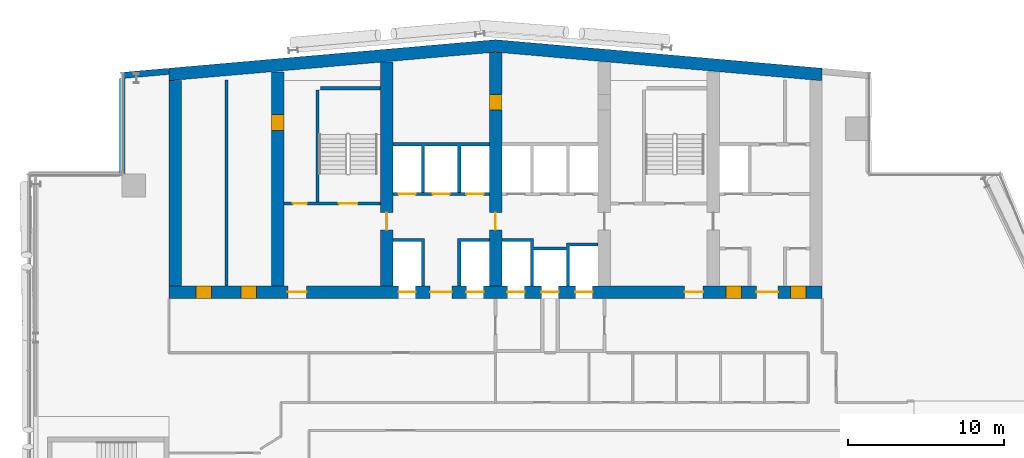
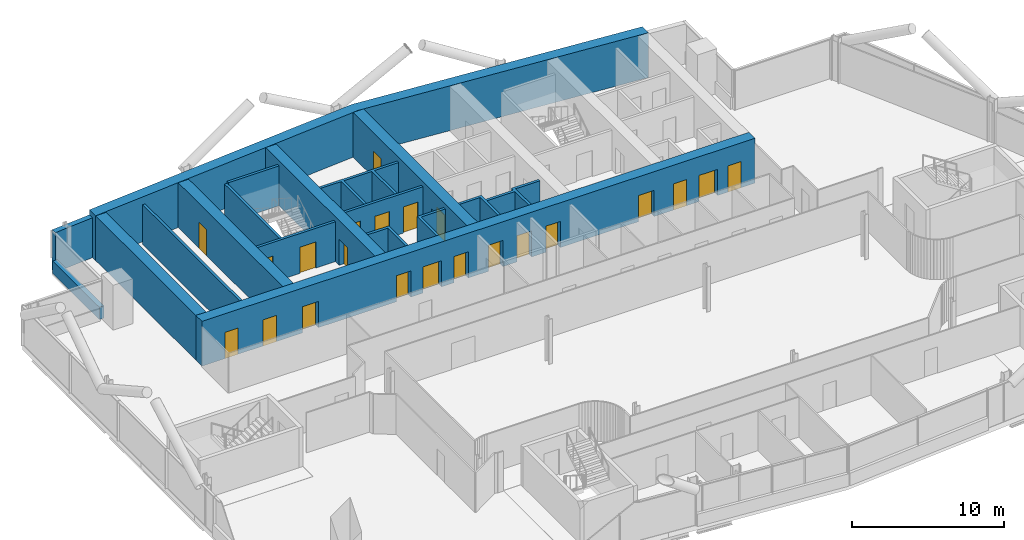
# One storey, part 20 of 29: 22 doors, 17 walls, 22 openings.
"""IFC4 building model written with IfcOpenShell, lengths in metres."""

from ifc_helpers import new_model, si_unit, direction, frame, frame_2d, origin, place, context, subcontext, project, spatial, polyline, rectangle, outline, extrude, material, layer, layer_set, type_object, element, fill, save


model = new_model("IFC4")

# Units and contexts
model_context = context("Model", 3, precision=1e-05, world=origin(), true_north=direction((0.0, 1.0)))
body_context = subcontext(model_context, "Body", "Model", "MODEL_VIEW")
ifc_project = project(units=[si_unit("LENGTHUNIT", "METRE"), si_unit("AREAUNIT", "SQUARE_METRE"), si_unit("VOLUMEUNIT", "CUBIC_METRE"), si_unit("PLANEANGLEUNIT", "RADIAN"), si_unit("MASSUNIT", "GRAM", prefix="KILO")], contexts=[model_context])

# Site, building, storey
site_placement = place(None, origin())
site = spatial("IfcSite", under=ifc_project, at=site_placement, CompositionType="ELEMENT")
building_placement = place(site_placement, origin())
building = spatial("IfcBuilding", under=site, at=building_placement, Name="Wharfspan Tower", CompositionType="ELEMENT")
storey_placement = place(building_placement, frame((0.0, 0.0, 162.699951)))
storey = spatial("IfcBuildingStorey", under=building, at=storey_placement, Name="L39", CompositionType="ELEMENT", Elevation=162.699951)

# Walls
ifc_material_1 = material(Name="Calcium silicate masonry", Category="masonry")
ifc_layer_1 = layer(ifc_material_1, 0.199951)
ifc_layer_set_1 = layer_set([ifc_layer_1], Name="Calcium silicate masonry")
wall_type_1 = type_object("IfcWallType", Name="Core room wall 200", PredefinedType="PARTITIONING", material=ifc_layer_set_1)
wall_1_placement = place(storey_placement, frame((19.699951, 34.800049, 0.0), z_axis=(0.0, 0.0, 1.0), x_axis=(0.0, 1.0, 0.0)))
element("IfcWall", 1, at=wall_1_placement, inside=storey, type_object=wall_type_1, Name="sw:L39:RM1", PredefinedType="PARTITIONING", context=body_context, shape_type="SweptSolid", body=[
    extrude(rectangle(XDim=13.234131, YDim=0.199951, at=frame_2d((6.617188, 0.0))), origin(), (0.0, 0.0, 1.0), 3.199951),
])
ifc_material_2 = material(Name="Concrete C60/75", Category="concrete")
ifc_layer_2 = layer(ifc_material_2, 0.800049)
ifc_layer_set_2 = layer_set([ifc_layer_2], Name="Concrete C60/75")
wall_type_2 = type_object("IfcWallType", Name="Core wall 800 C60/75", PredefinedType="SHEAR", material=ifc_layer_set_2)
wall_2_placement = place(storey_placement, origin())
element("IfcWall", 2, at=wall_2_placement, inside=storey, type_object=wall_type_2, Name="Core rear wall L39", PredefinedType="SHEAR", context=body_context, shape_type="SweptSolid", body=[
    extrude(outline(polyline([(16.0, 47.984375), (37.0, 49.821533), (58.0, 47.984375), (58.0, 48.787354), (37.0, 50.624756), (16.0, 48.787354), (16.0, 47.984375)])), origin(), (0.0, 0.0, 1.0), 3.600098),
])

# Wall, openings, doors
wall_3_placement = place(storey_placement, frame((16.0, 34.399902, 0.0), z_axis=(0.0, 0.0, 1.0), x_axis=(1.0, 0.0, 0.0)))
wall_3 = element("IfcWall", 3, at=wall_3_placement, inside=storey, type_object=wall_type_2, Name="Core front wall L39", PredefinedType="SHEAR", context=body_context, shape_type="SweptSolid", body=[
    extrude(rectangle(XDim=42.0, YDim=0.800049, at=frame_2d((21.0, 0.0))), origin(), (0.0, 0.0, 1.0), 3.600098),
])
opening_1_placement = place(wall_3_placement, frame((1.75, 0.0, 0.0)))
opening_1 = element("IfcOpeningElement", 4, at=opening_1_placement, cuts=wall_3, Name="Opening CD39.11", PredefinedType="OPENING", context=body_context, shape_type="SweptSolid", body=[
    extrude(rectangle(XDim=1.0, YDim=2.100098, at=frame_2d((0.5, 1.050049))), frame((0.0, 0.409912, 0.0), z_axis=(0.0, -1.0, 0.0), x_axis=(1.0, 0.0, 0.0)), (0.0, 0.0, 1.0), 0.820068),
])
opening_2_placement = place(wall_3_placement, frame((4.649902, 0.0, 0.0)))
opening_2 = element("IfcOpeningElement", 5, at=opening_2_placement, cuts=wall_3, Name="Opening CD39.12", PredefinedType="OPENING", context=body_context, shape_type="SweptSolid", body=[
    extrude(rectangle(XDim=1.0, YDim=2.100098, at=frame_2d((0.5, 1.050049))), frame((0.0, 0.409912, 0.0), z_axis=(0.0, -1.0, 0.0), x_axis=(1.0, 0.0, 0.0)), (0.0, 0.0, 1.0), 0.820068),
])
opening_3_placement = place(wall_3_placement, frame((7.649902, 0.0, 0.0)))
opening_3 = element("IfcOpeningElement", 6, at=opening_3_placement, cuts=wall_3, Name="Opening SV2.L39", PredefinedType="OPENING", context=body_context, shape_type="SweptSolid", body=[
    extrude(rectangle(XDim=1.199951, YDim=2.100098, at=frame_2d((0.600098, 1.050049))), frame((0.0, 0.409912, 0.0), z_axis=(0.0, -1.0, 0.0), x_axis=(1.0, 0.0, 0.0)), (0.0, 0.0, 1.0), 0.820068),
])
opening_4_placement = place(wall_3_placement, frame((14.766602, 0.0, 0.0)))
opening_4 = element("IfcOpeningElement", 7, at=opening_4_placement, cuts=wall_3, Name="Opening LD.SL1.L39", PredefinedType="OPENING", context=body_context, shape_type="SweptSolid", body=[
    extrude(rectangle(XDim=1.100098, YDim=2.100098, at=frame_2d((0.550049, 1.050049))), frame((0.0, 0.409912, 0.0), z_axis=(0.0, -1.0, 0.0), x_axis=(1.0, 0.0, 0.0)), (0.0, 0.0, 1.0), 0.820068),
])
opening_5_placement = place(wall_3_placement, frame((19.133301, 0.0, 0.0)))
opening_5 = element("IfcOpeningElement", 8, at=opening_5_placement, cuts=wall_3, Name="Opening LD.SL2.L39", PredefinedType="OPENING", context=body_context, shape_type="SweptSolid", body=[
    extrude(rectangle(XDim=1.100098, YDim=2.100098, at=frame_2d((0.550049, 1.050049))), frame((0.0, 0.409912, 0.0), z_axis=(0.0, -1.0, 0.0), x_axis=(1.0, 0.0, 0.0)), (0.0, 0.0, 1.0), 0.820068),
])
opening_6_placement = place(wall_3_placement, frame((16.800049, 0.0, 0.0)))
opening_6 = element("IfcOpeningElement", 9, at=opening_6_placement, cuts=wall_3, Name="Opening HD39.3", PredefinedType="OPENING", context=body_context, shape_type="SweptSolid", body=[
    extrude(rectangle(XDim=1.399902, YDim=2.100098, at=frame_2d((0.699951, 1.050049))), frame((0.0, 0.409912, 0.0), z_axis=(0.0, -1.0, 0.0), x_axis=(1.0, 0.0, 0.0)), (0.0, 0.0, 1.0), 0.820068),
])
opening_7_placement = place(wall_3_placement, frame((21.766602, 0.0, 0.0)))
opening_7 = element("IfcOpeningElement", 10, at=opening_7_placement, cuts=wall_3, Name="Opening LD.FF1.L39", PredefinedType="OPENING", context=body_context, shape_type="SweptSolid", body=[
    extrude(rectangle(XDim=1.100098, YDim=2.100098, at=frame_2d((0.550049, 1.050049))), frame((0.0, 0.409912, 0.0), z_axis=(0.0, -1.0, 0.0), x_axis=(1.0, 0.0, 0.0)), (0.0, 0.0, 1.0), 0.820068),
])
opening_8_placement = place(wall_3_placement, frame((23.949951, 0.0, 0.0)))
opening_8 = element("IfcOpeningElement", 11, at=opening_8_placement, cuts=wall_3, Name="Opening LD.LB7.L39", PredefinedType="OPENING", context=body_context, shape_type="SweptSolid", body=[
    extrude(rectangle(XDim=1.100098, YDim=2.100098, at=frame_2d((0.550049, 1.050049))), frame((0.0, 0.409912, 0.0), z_axis=(0.0, -1.0, 0.0), x_axis=(1.0, 0.0, 0.0)), (0.0, 0.0, 1.0), 0.820068),
])
opening_9_placement = place(wall_3_placement, frame((26.133301, 0.0, 0.0)))
opening_9 = element("IfcOpeningElement", 12, at=opening_9_placement, cuts=wall_3, Name="Opening LD.FF2.L39", PredefinedType="OPENING", context=body_context, shape_type="SweptSolid", body=[
    extrude(rectangle(XDim=1.100098, YDim=2.100098, at=frame_2d((0.550049, 1.050049))), frame((0.0, 0.409912, 0.0), z_axis=(0.0, -1.0, 0.0), x_axis=(1.0, 0.0, 0.0)), (0.0, 0.0, 1.0), 0.820068),
])
opening_10_placement = place(wall_3_placement, frame((33.149902, 0.0, 0.0)))
opening_10 = element("IfcOpeningElement", 13, at=opening_10_placement, cuts=wall_3, Name="Opening SV5.L39", PredefinedType="OPENING", context=body_context, shape_type="SweptSolid", body=[
    extrude(rectangle(XDim=1.199951, YDim=2.100098, at=frame_2d((0.600098, 1.050049))), frame((0.0, 0.409912, 0.0), z_axis=(0.0, -1.0, 0.0), x_axis=(1.0, 0.0, 0.0)), (0.0, 0.0, 1.0), 0.820068),
])
opening_11_placement = place(wall_3_placement, frame((35.81665, 0.0, 0.0)))
opening_11 = element("IfcOpeningElement", 14, at=opening_11_placement, cuts=wall_3, Name="Opening CD39.6F1", PredefinedType="OPENING", context=body_context, shape_type="SweptSolid", body=[
    extrude(rectangle(XDim=1.0, YDim=2.100098, at=frame_2d((0.5, 1.050049))), frame((0.0, 0.409912, 0.0), z_axis=(0.0, -1.0, 0.0), x_axis=(1.0, 0.0, 0.0)), (0.0, 0.0, 1.0), 0.820068),
])
opening_12_placement = place(wall_3_placement, frame((39.949951, 0.0, 0.0)))
opening_12 = element("IfcOpeningElement", 15, at=opening_12_placement, cuts=wall_3, Name="Opening CD39.6F3", PredefinedType="OPENING", context=body_context, shape_type="SweptSolid", body=[
    extrude(rectangle(XDim=1.0, YDim=2.100098, at=frame_2d((0.5, 1.050049))), frame((0.0, 0.409912, 0.0), z_axis=(0.0, -1.0, 0.0), x_axis=(1.0, 0.0, 0.0)), (0.0, 0.0, 1.0), 0.820068),
])
opening_13_placement = place(wall_3_placement, frame((37.766602, 0.0, 0.0)))
opening_13 = element("IfcOpeningElement", 16, at=opening_13_placement, cuts=wall_3, Name="Opening HD39.6", PredefinedType="OPENING", context=body_context, shape_type="SweptSolid", body=[
    extrude(rectangle(XDim=1.399902, YDim=2.100098, at=frame_2d((0.699951, 1.050049))), frame((0.0, 0.409912, 0.0), z_axis=(0.0, -1.0, 0.0), x_axis=(1.0, 0.0, 0.0)), (0.0, 0.0, 1.0), 0.820068),
])
ifc_material_3 = material(Name="Steel door leaf", Category="steel")
door_type_1 = type_object("IfcDoorType", Name="Core room door 1000x2100", OperationType="SINGLE_SWING_LEFT", PredefinedType="DOOR", material=ifc_material_3)
door_1_placement = place(opening_1_placement, origin())
door_1 = element("IfcDoor", 17, at=door_1_placement, inside=storey, type_object=door_type_1, Name="d:L39:1:rf", OperationType="SINGLE_SWING_LEFT", OverallHeight=2.100098, OverallWidth=1.0, PredefinedType="DOOR", context=body_context, shape_type="SweptSolid", body=[
    extrude(rectangle(XDim=1.0, YDim=2.100098, at=frame_2d((0.5, 1.050049))), frame((0.0, 0.399902, 0.0), z_axis=(0.0, -1.0, 0.0), x_axis=(1.0, 0.0, 0.0)), (0.0, 0.0, 1.0), 0.799561),
])
fill(opening_1, door_1)
door_2_placement = place(opening_2_placement, origin())
door_2 = element("IfcDoor", 18, at=door_2_placement, inside=storey, type_object=door_type_1, Name="d:L39:1:rr", OperationType="SINGLE_SWING_RIGHT", OverallHeight=2.100098, OverallWidth=1.0, PredefinedType="DOOR", context=body_context, shape_type="SweptSolid", body=[
    extrude(rectangle(XDim=1.0, YDim=2.100098, at=frame_2d((0.5, 1.050049))), frame((0.0, 0.399902, 0.0), z_axis=(0.0, -1.0, 0.0), x_axis=(1.0, 0.0, 0.0)), (0.0, 0.0, 1.0), 0.799561),
])
fill(opening_2, door_2)
door_3_placement = place(opening_11_placement, origin())
door_3 = element("IfcDoor", 19, at=door_3_placement, inside=storey, type_object=door_type_1, Name="d:L39:6:fd6.1", OperationType="SINGLE_SWING_LEFT", OverallHeight=2.100098, OverallWidth=1.0, PredefinedType="DOOR", context=body_context, shape_type="SweptSolid", body=[
    extrude(rectangle(XDim=1.0, YDim=2.100098, at=frame_2d((0.5, 1.050049))), frame((0.0, 0.399902, 0.0), z_axis=(0.0, -1.0, 0.0), x_axis=(1.0, 0.0, 0.0)), (0.0, 0.0, 1.0), 0.799561),
])
fill(opening_11, door_3)
door_4_placement = place(opening_12_placement, origin())
door_4 = element("IfcDoor", 20, at=door_4_placement, inside=storey, type_object=door_type_1, Name="d:L39:6:fd6.3", OperationType="SINGLE_SWING_LEFT", OverallHeight=2.100098, OverallWidth=1.0, PredefinedType="DOOR", context=body_context, shape_type="SweptSolid", body=[
    extrude(rectangle(XDim=1.0, YDim=2.100098, at=frame_2d((0.5, 1.050049))), frame((0.0, 0.399902, 0.0), z_axis=(0.0, -1.0, 0.0), x_axis=(1.0, 0.0, 0.0)), (0.0, 0.0, 1.0), 0.799561),
])
fill(opening_12, door_4)
door_type_2 = type_object("IfcDoorType", Name="Hall entry door 1400x2100", OperationType="DOUBLE_DOOR_SINGLE_SWING", PredefinedType="DOOR", material=ifc_material_3)
door_5_placement = place(opening_6_placement, origin())
door_5 = element("IfcDoor", 21, at=door_5_placement, inside=storey, type_object=door_type_2, Name="d:L39:3:hd3", OperationType="DOUBLE_DOOR_SINGLE_SWING", OverallHeight=2.100098, OverallWidth=1.399902, PredefinedType="DOOR", context=body_context, shape_type="SweptSolid", body=[
    extrude(rectangle(XDim=1.399902, YDim=2.100098, at=frame_2d((0.699951, 1.050049))), frame((0.0, 0.024902, 0.0), z_axis=(0.0, -1.0, 0.0), x_axis=(1.0, 0.0, 0.0)), (0.0, 0.0, 1.0), 0.050049),
])
fill(opening_6, door_5)
door_6_placement = place(opening_13_placement, origin())
door_6 = element("IfcDoor", 22, at=door_6_placement, inside=storey, type_object=door_type_2, Name="d:L39:6:hd6", OperationType="DOUBLE_DOOR_SINGLE_SWING", OverallHeight=2.100098, OverallWidth=1.399902, PredefinedType="DOOR", context=body_context, shape_type="SweptSolid", body=[
    extrude(rectangle(XDim=1.399902, YDim=2.100098, at=frame_2d((0.699951, 1.050049))), frame((0.0, 0.024902, 0.0), z_axis=(0.0, -1.0, 0.0), x_axis=(1.0, 0.0, 0.0)), (0.0, 0.0, 1.0), 0.050049),
])
fill(opening_13, door_6)
ifc_material_4 = material(Name="Stainless steel", Category="steel")
door_type_3 = type_object("IfcDoorType", Name="Lift landing door 1100x2100", OperationType="DOUBLE_DOOR_SLIDING", PredefinedType="DOOR", material=ifc_material_4)
door_7_placement = place(opening_4_placement, origin())
door_7 = element("IfcDoor", 23, at=door_7_placement, inside=storey, type_object=door_type_3, Name="Landing door SL1 L39", OperationType="DOUBLE_DOOR_SLIDING", OverallHeight=2.100098, OverallWidth=1.100098, PredefinedType="DOOR", context=body_context, shape_type="SweptSolid", body=[
    extrude(rectangle(XDim=1.100098, YDim=2.100098, at=frame_2d((0.550049, 1.050049))), frame((0.0, 0.024902, 0.0), z_axis=(0.0, -1.0, 0.0), x_axis=(1.0, 0.0, 0.0)), (0.0, 0.0, 1.0), 0.050049),
])
fill(opening_4, door_7)
door_8_placement = place(opening_5_placement, origin())
door_8 = element("IfcDoor", 24, at=door_8_placement, inside=storey, type_object=door_type_3, Name="Landing door SL2 L39", OperationType="DOUBLE_DOOR_SLIDING", OverallHeight=2.100098, OverallWidth=1.100098, PredefinedType="DOOR", context=body_context, shape_type="SweptSolid", body=[
    extrude(rectangle(XDim=1.100098, YDim=2.100098, at=frame_2d((0.550049, 1.050049))), frame((0.0, 0.024902, 0.0), z_axis=(0.0, -1.0, 0.0), x_axis=(1.0, 0.0, 0.0)), (0.0, 0.0, 1.0), 0.050049),
])
fill(opening_5, door_8)
door_9_placement = place(opening_7_placement, origin())
door_9 = element("IfcDoor", 25, at=door_9_placement, inside=storey, type_object=door_type_3, Name="Landing door FF1 L39", OperationType="DOUBLE_DOOR_SLIDING", OverallHeight=2.100098, OverallWidth=1.100098, PredefinedType="DOOR", context=body_context, shape_type="SweptSolid", body=[
    extrude(rectangle(XDim=1.100098, YDim=2.100098, at=frame_2d((0.550049, 1.050049))), frame((0.0, 0.024902, 0.0), z_axis=(0.0, -1.0, 0.0), x_axis=(1.0, 0.0, 0.0)), (0.0, 0.0, 1.0), 0.050049),
])
fill(opening_7, door_9)
door_10_placement = place(opening_8_placement, origin())
door_10 = element("IfcDoor", 26, at=door_10_placement, inside=storey, type_object=door_type_3, Name="Landing door LB7 L39", OperationType="DOUBLE_DOOR_SLIDING", OverallHeight=2.100098, OverallWidth=1.100098, PredefinedType="DOOR", context=body_context, shape_type="SweptSolid", body=[
    extrude(rectangle(XDim=1.100098, YDim=2.100098, at=frame_2d((0.550049, 1.050049))), frame((0.0, 0.024902, 0.0), z_axis=(0.0, -1.0, 0.0), x_axis=(1.0, 0.0, 0.0)), (0.0, 0.0, 1.0), 0.050049),
])
fill(opening_8, door_10)
door_11_placement = place(opening_9_placement, origin())
door_11 = element("IfcDoor", 27, at=door_11_placement, inside=storey, type_object=door_type_3, Name="Landing door FF2 L39", OperationType="DOUBLE_DOOR_SLIDING", OverallHeight=2.100098, OverallWidth=1.100098, PredefinedType="DOOR", context=body_context, shape_type="SweptSolid", body=[
    extrude(rectangle(XDim=1.100098, YDim=2.100098, at=frame_2d((0.550049, 1.050049))), frame((0.0, 0.024902, 0.0), z_axis=(0.0, -1.0, 0.0), x_axis=(1.0, 0.0, 0.0)), (0.0, 0.0, 1.0), 0.050049),
])
fill(opening_9, door_11)
door_type_4 = type_object("IfcDoorType", Name="Stair door 1200x2100", OperationType="SINGLE_SWING_LEFT", PredefinedType="DOOR", material=ifc_material_3)
door_12_placement = place(opening_3_placement, origin())
door_12 = element("IfcDoor", 28, at=door_12_placement, inside=storey, type_object=door_type_4, Name="vd:L39:2", OperationType="SINGLE_SWING_LEFT", OverallHeight=2.100098, OverallWidth=1.199951, PredefinedType="DOOR", context=body_context, shape_type="SweptSolid", body=[
    extrude(rectangle(XDim=1.199951, YDim=2.100098, at=frame_2d((0.600098, 1.050049))), frame((0.0, 0.024902, 0.0), z_axis=(0.0, -1.0, 0.0), x_axis=(1.0, 0.0, 0.0)), (0.0, 0.0, 1.0), 0.050049),
])
fill(opening_3, door_12)
door_13_placement = place(opening_10_placement, origin())
door_13 = element("IfcDoor", 29, at=door_13_placement, inside=storey, type_object=door_type_4, Name="vd:L39:5", OperationType="SINGLE_SWING_LEFT", OverallHeight=2.100098, OverallWidth=1.199951, PredefinedType="DOOR", context=body_context, shape_type="SweptSolid", body=[
    extrude(rectangle(XDim=1.199951, YDim=2.100098, at=frame_2d((0.600098, 1.050049))), frame((0.0, 0.024902, 0.0), z_axis=(0.0, -1.0, 0.0), x_axis=(1.0, 0.0, 0.0)), (0.0, 0.0, 1.0), 0.050049),
])
fill(opening_10, door_13)

# Wall
wall_4_placement = place(storey_placement, frame((16.399902, 34.800049, 0.0), z_axis=(0.0, 0.0, 1.0), x_axis=(0.0, 1.0, 0.0)))
element("IfcWall", 30, at=wall_4_placement, inside=storey, type_object=wall_type_2, Name="Core cross wall EW0 L39", PredefinedType="SHEAR", context=body_context, shape_type="SweptSolid", body=[
    extrude(rectangle(XDim=13.184326, YDim=0.800049, at=frame_2d((6.592285, 0.0))), origin(), (0.0, 0.0, 1.0), 3.600098),
])

# Wall, opening, door
wall_5_placement = place(storey_placement, frame((23.0, 34.800049, 0.0), z_axis=(0.0, 0.0, 1.0), x_axis=(0.0, 1.0, 0.0)))
wall_5 = element("IfcWall", 31, at=wall_5_placement, inside=storey, type_object=wall_type_2, Name="Core cross wall X2 L39", PredefinedType="SHEAR", context=body_context, shape_type="SweptSolid", body=[
    extrude(rectangle(XDim=13.761719, YDim=0.800049, at=frame_2d((6.880859, 0.0))), origin(), (0.0, 0.0, 1.0), 3.600098),
])
opening_14_placement = place(wall_5_placement, frame((10.0, 0.0, 0.0)))
opening_14 = element("IfcOpeningElement", 32, at=opening_14_placement, cuts=wall_5, Name="Opening CR39.2", PredefinedType="OPENING", context=body_context, shape_type="SweptSolid", body=[
    extrude(rectangle(XDim=1.0, YDim=2.100098, at=frame_2d((0.5, 1.050049))), frame((0.0, 0.409912, 0.0), z_axis=(0.0, -1.0, 0.0), x_axis=(1.0, 0.0, 0.0)), (0.0, 0.0, 1.0), 0.820068),
])
door_14_placement = place(opening_14_placement, origin())
door_14 = element("IfcDoor", 33, at=door_14_placement, inside=storey, type_object=door_type_1, Name="xr:L39:2", OperationType="SINGLE_SWING_RIGHT", OverallHeight=2.100098, OverallWidth=1.0, PredefinedType="DOOR", context=body_context, shape_type="SweptSolid", body=[
    extrude(rectangle(XDim=1.0, YDim=2.100098, at=frame_2d((0.5, 1.050049))), frame((0.0, 0.399902, 0.0), z_axis=(0.0, -1.0, 0.0), x_axis=(1.0, 0.0, 0.0)), (0.0, 0.0, 1.0), 0.799561),
])
fill(opening_14, door_14)

wall_6_placement = place(storey_placement, frame((30.0, 34.800049, 0.0), z_axis=(0.0, 0.0, 1.0), x_axis=(0.0, 1.0, 0.0)))
wall_6 = element("IfcWall", 34, at=wall_6_placement, inside=storey, type_object=wall_type_2, Name="Core cross wall X3 L39", PredefinedType="SHEAR", context=body_context, shape_type="SweptSolid", body=[
    extrude(rectangle(XDim=14.374023, YDim=0.800049, at=frame_2d((7.187012, 0.0))), origin(), (0.0, 0.0, 1.0), 3.600098),
])
opening_15_placement = place(wall_6_placement, frame((3.600098, 0.0, 0.0)))
opening_15 = element("IfcOpeningElement", 35, at=opening_15_placement, cuts=wall_6, Name="Opening CC39.3", PredefinedType="OPENING", context=body_context, shape_type="SweptSolid", body=[
    extrude(rectangle(XDim=1.100098, YDim=2.100098, at=frame_2d((0.550049, 1.050049))), frame((0.0, 0.409912, 0.0), z_axis=(0.0, -1.0, 0.0), x_axis=(1.0, 0.0, 0.0)), (0.0, 0.0, 1.0), 0.820068),
])
door_type_5 = type_object("IfcDoorType", Name="Core corridor door 1100x2100", OperationType="SINGLE_SWING_LEFT", PredefinedType="DOOR", material=ifc_material_3)
door_15_placement = place(opening_15_placement, origin())
door_15 = element("IfcDoor", 36, at=door_15_placement, inside=storey, type_object=door_type_5, Name="xd:L39:3", OperationType="SINGLE_SWING_LEFT", OverallHeight=2.100098, OverallWidth=1.100098, PredefinedType="DOOR", context=body_context, shape_type="SweptSolid", body=[
    extrude(rectangle(XDim=1.100098, YDim=2.100098, at=frame_2d((0.550049, 1.050049))), frame((0.0, 0.024902, 0.0), z_axis=(0.0, -1.0, 0.0), x_axis=(1.0, 0.0, 0.0)), (0.0, 0.0, 1.0), 0.050049),
])
fill(opening_15, door_15)

# Wall, openings, doors
wall_7_placement = place(storey_placement, frame((37.0, 34.800049, 0.0), z_axis=(0.0, 0.0, 1.0), x_axis=(0.0, 1.0, 0.0)))
wall_7 = element("IfcWall", 37, at=wall_7_placement, inside=storey, type_object=wall_type_2, Name="Core cross wall X4 L39", PredefinedType="SHEAR", context=body_context, shape_type="SweptSolid", body=[
    extrude(rectangle(XDim=14.986572, YDim=0.800049, at=frame_2d((7.493164, 0.0))), origin(), (0.0, 0.0, 1.0), 3.600098),
])
opening_16_placement = place(wall_7_placement, frame((11.312012, 0.0, 0.0)))
opening_16 = element("IfcOpeningElement", 38, at=opening_16_placement, cuts=wall_7, Name="Opening CD39.3X", PredefinedType="OPENING", context=body_context, shape_type="SweptSolid", body=[
    extrude(rectangle(XDim=1.0, YDim=2.100098, at=frame_2d((0.5, 1.050049))), frame((0.0, 0.409912, 0.0), z_axis=(0.0, -1.0, 0.0), x_axis=(1.0, 0.0, 0.0)), (0.0, 0.0, 1.0), 0.820068),
])
opening_17_placement = place(wall_7_placement, frame((3.600098, 0.0, 0.0)))
opening_17 = element("IfcOpeningElement", 39, at=opening_17_placement, cuts=wall_7, Name="Opening CC39.4", PredefinedType="OPENING", context=body_context, shape_type="SweptSolid", body=[
    extrude(rectangle(XDim=1.100098, YDim=2.100098, at=frame_2d((0.550049, 1.050049))), frame((0.0, 0.409912, 0.0), z_axis=(0.0, -1.0, 0.0), x_axis=(1.0, 0.0, 0.0)), (0.0, 0.0, 1.0), 0.820068),
])
door_16_placement = place(opening_17_placement, origin())
door_16 = element("IfcDoor", 40, at=door_16_placement, inside=storey, type_object=door_type_5, Name="xd:L39:4", OperationType="SINGLE_SWING_RIGHT", OverallHeight=2.100098, OverallWidth=1.100098, PredefinedType="DOOR", context=body_context, shape_type="SweptSolid", body=[
    extrude(rectangle(XDim=1.100098, YDim=2.100098, at=frame_2d((0.550049, 1.050049))), frame((0.0, 0.024902, 0.0), z_axis=(0.0, -1.0, 0.0), x_axis=(1.0, 0.0, 0.0)), (0.0, 0.0, 1.0), 0.050049),
])
fill(opening_17, door_16)
door_17_placement = place(opening_16_placement, origin())
door_17 = element("IfcDoor", 41, at=door_17_placement, inside=storey, type_object=door_type_1, Name="d:L39:3:sx", OperationType="SINGLE_SWING_LEFT", OverallHeight=2.100098, OverallWidth=1.0, PredefinedType="DOOR", context=body_context, shape_type="SweptSolid", body=[
    extrude(rectangle(XDim=1.0, YDim=2.100098, at=frame_2d((0.5, 1.050049))), frame((0.0, 0.399902, 0.0), z_axis=(0.0, -1.0, 0.0), x_axis=(1.0, 0.0, 0.0)), (0.0, 0.0, 1.0), 0.799561),
])
fill(opening_16, door_17)

ifc_material_5 = material(Name="Concrete C30/37", Category="concrete")
ifc_layer_3 = layer(ifc_material_5, 0.199951)
ifc_layer_set_3 = layer_set([ifc_layer_3], Name="Concrete C30/37")
wall_type_3 = type_object("IfcWallType", Name="Lift shaft wall 200", PredefinedType="PARTITIONING", material=ifc_layer_set_3)
wall_8_placement = place(storey_placement, frame((30.399902, 40.699951, 0.0), z_axis=(0.0, 0.0, 1.0), x_axis=(1.0, 0.0, 0.0)))
wall_8 = element("IfcWall", 42, at=wall_8_placement, inside=storey, type_object=wall_type_3, Name="sw:L39:RF3", PredefinedType="PARTITIONING", context=body_context, shape_type="SweptSolid", body=[
    extrude(rectangle(XDim=6.200195, YDim=0.199951, at=frame_2d((3.100098, 0.0))), origin(), (0.0, 0.0, 1.0), 3.199951),
])
opening_18_placement = place(wall_8_placement, frame((0.366699, 0.0, 0.0)))
opening_18 = element("IfcOpeningElement", 43, at=opening_18_placement, cuts=wall_8, Name="Opening LD.LB1.L39", PredefinedType="OPENING", context=body_context, shape_type="SweptSolid", body=[
    extrude(rectangle(XDim=1.100098, YDim=2.100098, at=frame_2d((0.550049, 1.050049))), frame((0.0, 0.109863, 0.0), z_axis=(0.0, -1.0, 0.0), x_axis=(1.0, 0.0, 0.0)), (0.0, 0.0, 1.0), 0.219971),
])
opening_19_placement = place(wall_8_placement, frame((2.550049, 0.0, 0.0)))
opening_19 = element("IfcOpeningElement", 44, at=opening_19_placement, cuts=wall_8, Name="Opening LD.LB2.L39", PredefinedType="OPENING", context=body_context, shape_type="SweptSolid", body=[
    extrude(rectangle(XDim=1.100098, YDim=2.100098, at=frame_2d((0.550049, 1.050049))), frame((0.0, 0.109863, 0.0), z_axis=(0.0, -1.0, 0.0), x_axis=(1.0, 0.0, 0.0)), (0.0, 0.0, 1.0), 0.219971),
])
opening_20_placement = place(wall_8_placement, frame((4.733398, 0.0, 0.0)))
opening_20 = element("IfcOpeningElement", 45, at=opening_20_placement, cuts=wall_8, Name="Opening LD.LB3.L39", PredefinedType="OPENING", context=body_context, shape_type="SweptSolid", body=[
    extrude(rectangle(XDim=1.100098, YDim=2.100098, at=frame_2d((0.550049, 1.050049))), frame((0.0, 0.109863, 0.0), z_axis=(0.0, -1.0, 0.0), x_axis=(1.0, 0.0, 0.0)), (0.0, 0.0, 1.0), 0.219971),
])
door_18_placement = place(opening_18_placement, origin())
door_18 = element("IfcDoor", 46, at=door_18_placement, inside=storey, type_object=door_type_3, Name="Landing door LB1 L39", OperationType="DOUBLE_DOOR_SLIDING", OverallHeight=2.100098, OverallWidth=1.100098, PredefinedType="DOOR", context=body_context, shape_type="SweptSolid", body=[
    extrude(rectangle(XDim=1.100098, YDim=2.100098, at=frame_2d((0.550049, 1.050049))), frame((0.0, 0.024902, 0.0), z_axis=(0.0, -1.0, 0.0), x_axis=(1.0, 0.0, 0.0)), (0.0, 0.0, 1.0), 0.050049),
])
fill(opening_18, door_18)
door_19_placement = place(opening_19_placement, origin())
door_19 = element("IfcDoor", 47, at=door_19_placement, inside=storey, type_object=door_type_3, Name="Landing door LB2 L39", OperationType="DOUBLE_DOOR_SLIDING", OverallHeight=2.100098, OverallWidth=1.100098, PredefinedType="DOOR", context=body_context, shape_type="SweptSolid", body=[
    extrude(rectangle(XDim=1.100098, YDim=2.100098, at=frame_2d((0.550049, 1.050049))), frame((0.0, 0.024902, 0.0), z_axis=(0.0, -1.0, 0.0), x_axis=(1.0, 0.0, 0.0)), (0.0, 0.0, 1.0), 0.050049),
])
fill(opening_19, door_19)
door_20_placement = place(opening_20_placement, origin())
door_20 = element("IfcDoor", 48, at=door_20_placement, inside=storey, type_object=door_type_3, Name="Landing door LB3 L39", OperationType="DOUBLE_DOOR_SLIDING", OverallHeight=2.100098, OverallWidth=1.100098, PredefinedType="DOOR", context=body_context, shape_type="SweptSolid", body=[
    extrude(rectangle(XDim=1.100098, YDim=2.100098, at=frame_2d((0.550049, 1.050049))), frame((0.0, 0.024902, 0.0), z_axis=(0.0, -1.0, 0.0), x_axis=(1.0, 0.0, 0.0)), (0.0, 0.0, 1.0), 0.050049),
])
fill(opening_20, door_20)

# Walls
wall_9_placement = place(storey_placement, frame((0.0, 0.0, -0.000244)))
element("IfcWall", 49, at=wall_9_placement, inside=storey, type_object=wall_type_3, Name="sw:L39:FM3.0", PredefinedType="PARTITIONING", context=body_context, shape_type="SweptSolid", body=[
    extrude(outline(polyline([(32.233398, 37.649902), (30.399902, 37.649902), (30.399902, 37.850098), (32.233398, 37.850098), (32.43335, 37.850098), (32.43335, 34.800049), (32.233398, 34.800049), (32.233398, 37.649902)])), origin(), (0.0, 0.0, 1.0), 3.200195),
])
wall_10_placement = place(storey_placement, frame((0.0, 0.0, -0.000244)))
element("IfcWall", 50, at=wall_10_placement, inside=storey, type_object=wall_type_3, Name="sw:L39:FM3.1", PredefinedType="PARTITIONING", context=body_context, shape_type="SweptSolid", body=[
    extrude(outline(polyline([(34.56665, 37.850098), (34.766602, 37.850098), (36.600098, 37.850098), (36.600098, 37.649902), (34.766602, 37.649902), (34.766602, 34.800049), (34.56665, 34.800049), (34.56665, 37.850098)])), origin(), (0.0, 0.0, 1.0), 3.200195),
])
wall_11_placement = place(storey_placement, frame((0.0, 0.0, -0.000244)))
element("IfcWall", 51, at=wall_11_placement, inside=storey, type_object=wall_type_3, Name="sw:L39:RM3.0", PredefinedType="PARTITIONING", context=body_context, shape_type="SweptSolid", body=[
    extrude(outline(polyline([(32.43335, 40.800049), (32.233398, 40.800049), (32.233398, 43.800049), (30.399902, 43.800049), (30.399902, 44.0), (36.600098, 44.0), (36.600098, 43.800049), (34.766602, 43.800049), (34.766602, 40.800049), (34.56665, 40.800049), (34.56665, 43.800049), (32.43335, 43.800049), (32.43335, 40.800049)])), origin(), (0.0, 0.0, 1.0), 3.200195),
])
wall_12_placement = place(storey_placement, frame((0.0, 0.0, -0.000244)))
element("IfcWall", 52, at=wall_12_placement, inside=storey, type_object=wall_type_3, Name="sw:L39:FM4.0", PredefinedType="PARTITIONING", context=body_context, shape_type="SweptSolid", body=[
    extrude(outline(polyline([(41.56665, 37.100098), (39.43335, 37.100098), (39.43335, 34.800049), (39.233398, 34.800049), (39.233398, 37.649902), (37.399902, 37.649902), (37.399902, 37.850098), (39.233398, 37.850098), (39.43335, 37.850098), (39.43335, 37.300049), (41.56665, 37.300049), (41.56665, 37.550049), (41.766602, 37.550049), (43.600098, 37.550049), (43.600098, 37.350098), (41.766602, 37.350098), (41.766602, 34.800049), (41.56665, 34.800049), (41.56665, 37.100098)])), origin(), (0.0, 0.0, 1.0), 3.200195),
])
ifc_material_6 = material(Name="Concrete C40/50", Category="concrete")
ifc_layer_4 = layer(ifc_material_6, 0.350098)
ifc_layer_set_4 = layer_set([ifc_layer_4], Name="Concrete C40/50")
wall_type_4 = type_object("IfcWallType", Name="SPANDREL EXPOSED CONCRETE 350", PredefinedType="SOLIDWALL", material=ifc_layer_set_4)
wall_13_placement = place(storey_placement, frame((12.995117, 48.126465, 0.0), z_axis=(0.0, 0.0, 1.0), x_axis=(0.0, -1.0, 0.0)))
element("IfcWall", 53, at=wall_13_placement, inside=storey, type_object=wall_type_4, Name="Spandrel upstand L39 NRW-V", PredefinedType="SOLIDWALL", context=body_context, shape_type="SweptSolid", body=[
    extrude(rectangle(XDim=6.126465, YDim=0.350098, at=frame_2d((3.063232, 0.0))), origin(), (0.0, 0.0, 1.0), 1.0),
])

# Wall, openings, doors
ifc_layer_5 = layer(ifc_material_6, 0.199951)
ifc_layer_set_5 = layer_set([ifc_layer_5], Name="Concrete C40/50")
wall_type_5 = type_object("IfcWallType", Name="Stair shaft wall 200", PredefinedType="SHEAR", material=ifc_layer_set_5)
wall_14_placement = place(storey_placement, frame((23.399902, 40.100098, 0.0), z_axis=(0.0, 0.0, 1.0), x_axis=(1.0, 0.0, 0.0)))
wall_14 = element("IfcWall", 54, at=wall_14_placement, inside=storey, type_object=wall_type_5, Name="ST1 stair enclosure wall L39", PredefinedType="SHEAR", context=body_context, shape_type="SweptSolid", body=[
    extrude(rectangle(XDim=6.200195, YDim=0.199951, at=frame_2d((3.100098, 0.0))), origin(), (0.0, 0.0, 1.0), 3.199951),
])
opening_21_placement = place(wall_14_placement, frame((3.524902, 0.0, 0.0)))
opening_21 = element("IfcOpeningElement", 55, at=opening_21_placement, cuts=wall_14, Name="Opening SD2.L39", PredefinedType="OPENING", context=body_context, shape_type="SweptSolid", body=[
    extrude(rectangle(XDim=1.199951, YDim=2.100098, at=frame_2d((0.600098, 1.050049))), frame((0.0, 0.109863, 0.0), z_axis=(0.0, -1.0, 0.0), x_axis=(1.0, 0.0, 0.0)), (0.0, 0.0, 1.0), 0.219971),
])
opening_22_placement = place(wall_14_placement, frame((0.574951, 0.0, 0.0)))
opening_22 = element("IfcOpeningElement", 56, at=opening_22_placement, cuts=wall_14, Name="Opening CD39.2R", PredefinedType="OPENING", context=body_context, shape_type="SweptSolid", body=[
    extrude(rectangle(XDim=0.899902, YDim=2.100098, at=frame_2d((0.449951, 1.050049))), frame((0.0, 0.109863, 0.0), z_axis=(0.0, -1.0, 0.0), x_axis=(1.0, 0.0, 0.0)), (0.0, 0.0, 1.0), 0.219971),
])
door_21_placement = place(opening_22_placement, origin())
door_21 = element("IfcDoor", 57, at=door_21_placement, inside=storey, type_object=door_type_1, Name="rk:L39:2", OperationType="SINGLE_SWING_LEFT", OverallHeight=2.100098, OverallWidth=0.899902, PredefinedType="DOOR", context=body_context, shape_type="SweptSolid", body=[
    extrude(rectangle(XDim=0.899902, YDim=2.100098, at=frame_2d((0.449951, 1.050049))), frame((0.0, 0.024902, 0.0), z_axis=(0.0, -1.0, 0.0), x_axis=(1.0, 0.0, 0.0)), (0.0, 0.0, 1.0), 0.050049),
])
fill(opening_22, door_21)
door_22_placement = place(opening_21_placement, origin())
door_22 = element("IfcDoor", 58, at=door_22_placement, inside=storey, type_object=door_type_4, Name="sd:L39:2", OperationType="SINGLE_SWING_RIGHT", OverallHeight=2.100098, OverallWidth=1.199951, PredefinedType="DOOR", context=body_context, shape_type="SweptSolid", body=[
    extrude(rectangle(XDim=1.199951, YDim=2.100098, at=frame_2d((0.600098, 1.050049))), frame((0.0, 0.024902, 0.0), z_axis=(0.0, -1.0, 0.0), x_axis=(1.0, 0.0, 0.0)), (0.0, 0.0, 1.0), 0.050049),
])
fill(opening_21, door_22)

# Walls
wall_15_placement = place(storey_placement, frame((25.550049, 40.199951, 0.0), z_axis=(0.0, 0.0, 1.0), x_axis=(0.0, 1.0, 0.0)))
element("IfcWall", 59, at=wall_15_placement, inside=storey, type_object=wall_type_5, Name="ST1 stair enclosure wall L39", PredefinedType="SHEAR", context=body_context, shape_type="SweptSolid", body=[
    extrude(rectangle(XDim=7.199951, YDim=0.199951, at=frame_2d((3.600098, 0.0))), origin(), (0.0, 0.0, 1.0), 3.199951),
])
wall_16_placement = place(storey_placement, frame((25.75, 47.5, 0.0), z_axis=(0.0, 0.0, 1.0), x_axis=(1.0, 0.0, 0.0)))
element("IfcWall", 60, at=wall_16_placement, inside=storey, type_object=wall_type_5, Name="ST1 stair enclosure wall L39", PredefinedType="SHEAR", context=body_context, shape_type="SweptSolid", body=[
    extrude(rectangle(XDim=3.850098, YDim=0.199951, at=frame_2d((1.925049, 0.0))), origin(), (0.0, 0.0, 1.0), 3.199951),
])
ifc_layer_6 = layer(ifc_material_6, 0.399902)
ifc_layer_set_6 = layer_set([ifc_layer_6], Name="Concrete C40/50")
wall_type_6 = type_object("IfcWallType", Name="WALL EXPOSED CONCRETE 400", PredefinedType="SOLIDWALL", material=ifc_layer_set_6)
wall_17_placement = place(storey_placement, frame((16.0, 48.58667, 0.0), z_axis=(0.0, 0.0, 1.0), x_axis=(-0.996194, -0.087168, 0.0)))
element("IfcWall", 61, at=wall_17_placement, inside=storey, type_object=wall_type_6, Name="Rear wall N1", PredefinedType="SOLIDWALL", context=body_context, shape_type="SweptSolid", body=[
    extrude(rectangle(XDim=2.994141, YDim=0.399902, at=frame_2d((1.49707, 0.0))), origin(), (0.0, 0.0, 1.0), 3.199951),
])

save(model, "model.ifc")
